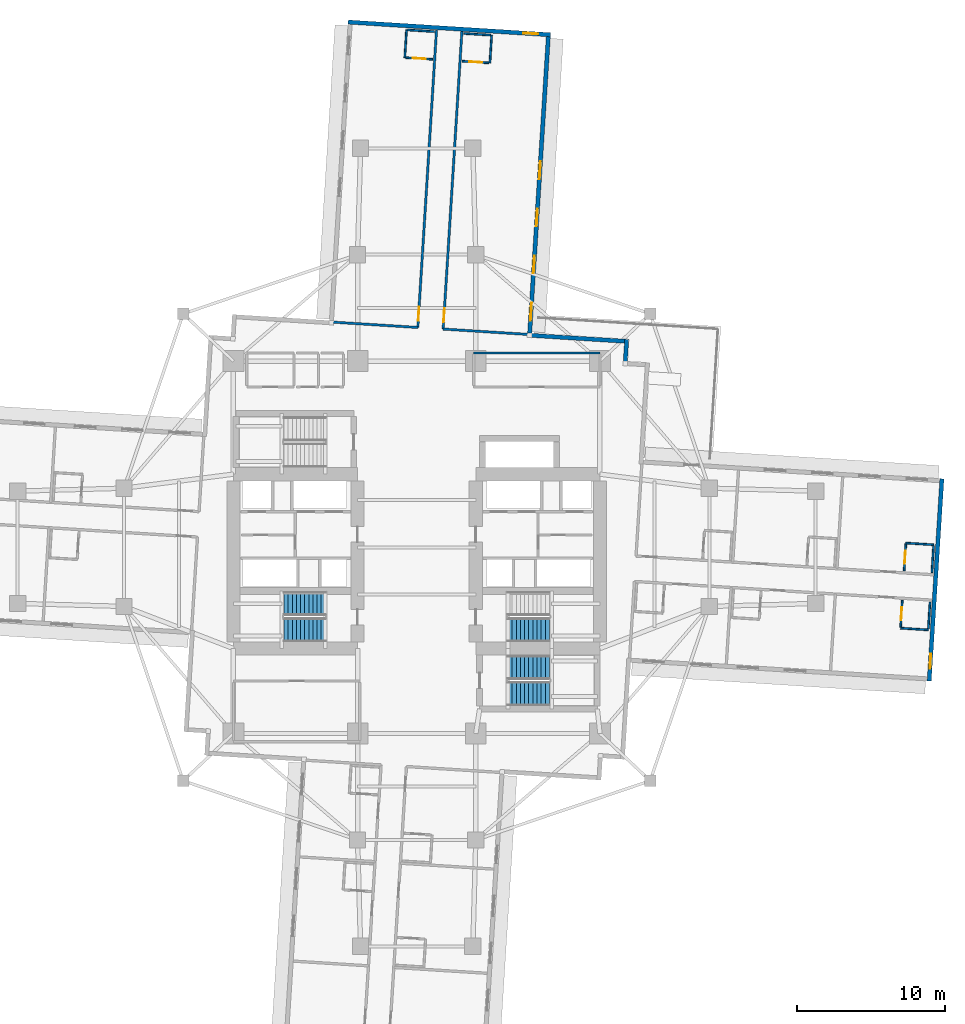
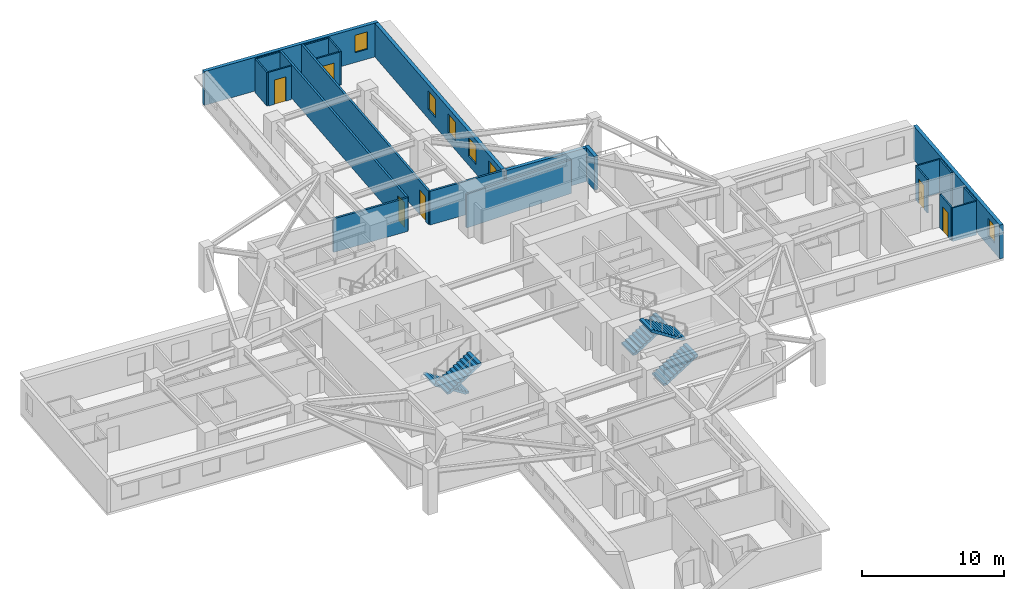
# One storey, part 8 of 14: 22 walls, 6 doors, 6 windows, 5 stair flights, 12 openings, 3 elements without a shape of their own.
"""IFC4 building model written with IfcOpenShell, lengths in metres."""

from ifc_helpers import new_model, si_unit, direction, frame, frame_2d, origin, place, context, subcontext, project, spatial, polyline, rectangle, outline, extrude, material, layer, layer_set, type_object, element, fill, aggregate, save


model = new_model("IFC4")

# Units and contexts
model_context = context("Model", 3, precision=1e-05, world=origin(), true_north=direction((0.0, 1.0)))
body_context = subcontext(model_context, "Body", "Model", "MODEL_VIEW")
ifc_project = project(units=[si_unit("LENGTHUNIT", "METRE"), si_unit("AREAUNIT", "SQUARE_METRE"), si_unit("VOLUMEUNIT", "CUBIC_METRE"), si_unit("PLANEANGLEUNIT", "RADIAN"), si_unit("MASSUNIT", "GRAM", prefix="KILO")], contexts=[model_context])

# Site, building, storey
site_placement = place(None, origin())
site = spatial("IfcSite", under=ifc_project, at=site_placement, CompositionType="ELEMENT")
building_placement = place(site_placement, origin())
building = spatial("IfcBuilding", under=site, at=building_placement, Name="Qingluan Cross Belvedere", CompositionType="ELEMENT")
storey_placement = place(building_placement, frame((0.0, 0.0, 79.5)))
storey = spatial("IfcBuildingStorey", under=building, at=storey_placement, Name="L20", CompositionType="ELEMENT", Elevation=79.5)

# Wall
ifc_material_1 = material(Name="Gypsum plasterboard on steel stud acoustic partition", Category="steel")
ifc_layer_1 = layer(ifc_material_1, 0.159912109375, Name="CorridorPartition_160")
ifc_layer_set_1 = layer_set([ifc_layer_1], Name="Gypsum plasterboard on steel stud acoustic partition")
wall_type_1 = type_object("IfcWallType", Name="CorridorPartition_160", PredefinedType="PARTITIONING", material=ifc_layer_set_1)
wall_1_placement = place(storey_placement, frame((3.85009765625, 13.14990234375, 0.0), z_axis=(0.0, 0.0, 1.0), x_axis=(1.0, 0.0, 0.0)))
element("IfcWall", 1, at=wall_1_placement, inside=storey, type_object=wall_type_1, Name="Partition L20:q_ne:N", PredefinedType="PARTITIONING", context=body_context, shape_type="SweptSolid", body=[
    extrude(rectangle(XDim=8.5498046875, YDim=0.159912109375, at=frame_2d((4.27490234375, 0.0))), origin(), (0.0, 0.0, 1.0), 2.89990234375),
])

# Wall, opening, door
wall_2_placement = place(storey_placement, frame((1.790771484375, 14.7666015625, 0.0), z_axis=(0.0, 0.0, 1.0), x_axis=(0.062795509413, 0.998026414479, 0.0)))
wall_2 = element("IfcWall", 2, at=wall_2_placement, inside=storey, type_object=wall_type_1, Name="Partition L20:N:c0", PredefinedType="PARTITIONING", context=body_context, shape_type="SweptSolid", body=[
    extrude(rectangle(XDim=20.181884765625, YDim=0.159912109375, at=frame_2d((10.0908203125, 0.0))), origin(), (0.0, 0.0, 1.0), 2.89990234375),
])
opening_1_placement = place(wall_2_placement, frame((0.449951171875, 0.0, 0.0)))
opening_1 = element("IfcOpeningElement", 3, at=opening_1_placement, cuts=wall_2, Name="Opening GD-10", PredefinedType="OPENING", context=body_context, shape_type="SweptSolid", body=[
    extrude(rectangle(XDim=0.9599609375, YDim=2.14990234375, at=frame_2d((0.47998046875, 1.074951171875))), frame((0.0, 0.08984375, 0.0), z_axis=(0.0, -1.0, 0.0), x_axis=(1.0, 0.0, 0.0)), (0.0, 0.0, 1.0), 0.179931640625),
])
ifc_material_2 = material(Name="Timber oak fire-rated acoustic guestroom door", Category="wood")
door_type_1 = type_object("IfcDoorType", Name="GuestEntryDoor_FD60", OperationType="NOTDEFINED", PredefinedType="DOOR", material=ifc_material_2)
door_1_placement = place(opening_1_placement, origin())
door_1 = element("IfcDoor", 4, at=door_1_placement, inside=storey, type_object=door_type_1, Name="Guest entry fire door 2011", OperationType="SINGLE_SWING_LEFT", OverallHeight=2.14990234375, OverallWidth=0.9599609375, PredefinedType="DOOR", context=body_context, shape_type="SweptSolid", body=[
    extrude(rectangle(XDim=0.9599609375, YDim=2.14990234375, at=frame_2d((0.47998046875, 1.074951171875))), frame((0.0, 0.02490234375, 0.0), z_axis=(0.0, -1.0, 0.0), x_axis=(1.0, 0.0, 0.0)), (0.0, 0.0, 1.0), 0.050048828125),
])
fill(opening_1, door_1)

# Wall
wall_3_placement = place(storey_placement, frame((1.790771484375, 14.7666015625, 0.0), z_axis=(0.0, 0.0, 1.0), x_axis=(0.998027043948, -0.062785504288, 0.0)))
element("IfcWall", 5, at=wall_3_placement, inside=storey, type_object=wall_type_1, Name="Partition L20:N:s0", PredefinedType="PARTITIONING", context=body_context, shape_type="SweptSolid", body=[
    extrude(rectangle(XDim=5.85986328125, YDim=0.159912109375, at=frame_2d((2.929931640625, 0.0))), origin(), (0.0, 0.0, 1.0), 2.89990234375),
])

# Wall, opening, door
wall_4_placement = place(storey_placement, frame((0.07421875, 14.874755859375, 0.0), z_axis=(0.0, 0.0, 1.0), x_axis=(0.062783460104, 0.998027172545, 0.0)))
wall_4 = element("IfcWall", 6, at=wall_4_placement, inside=storey, type_object=wall_type_1, Name="Partition L20:N:c1", PredefinedType="PARTITIONING", context=body_context, shape_type="SweptSolid", body=[
    extrude(rectangle(XDim=20.181884765625, YDim=0.159912109375, at=frame_2d((10.0908203125, 0.0))), origin(), (0.0, 0.0, 1.0), 2.89990234375),
])
opening_2_placement = place(wall_4_placement, frame((0.449951171875, 0.0, 0.0)))
opening_2 = element("IfcOpeningElement", 7, at=opening_2_placement, cuts=wall_4, Name="Opening GD-10", PredefinedType="OPENING", context=body_context, shape_type="SweptSolid", body=[
    extrude(rectangle(XDim=0.9599609375, YDim=2.14990234375, at=frame_2d((0.47998046875, 1.074951171875))), frame((0.0, 0.08984375, 0.0), z_axis=(0.0, -1.0, 0.0), x_axis=(1.0, 0.0, 0.0)), (0.0, 0.0, 1.0), 0.179931640625),
])
door_2_placement = place(opening_2_placement, origin())
door_2 = element("IfcDoor", 8, at=door_2_placement, inside=storey, type_object=door_type_1, Name="Guest entry fire door 2012", OperationType="SINGLE_SWING_LEFT", OverallHeight=2.14990234375, OverallWidth=0.9599609375, PredefinedType="DOOR", context=body_context, shape_type="SweptSolid", body=[
    extrude(rectangle(XDim=0.9599609375, YDim=2.14990234375, at=frame_2d((0.47998046875, 1.074951171875))), frame((0.0, 0.02490234375, 0.0), z_axis=(0.0, -1.0, 0.0), x_axis=(1.0, 0.0, 0.0)), (0.0, 0.0, 1.0), 0.050048828125),
])
fill(opening_2, door_2)

# Wall
wall_5_placement = place(storey_placement, frame((0.07421875, 14.874755859375, 0.0), z_axis=(0.0, 0.0, 1.0), x_axis=(-0.998027208172, 0.062782893752, 0.0)))
element("IfcWall", 9, at=wall_5_placement, inside=storey, type_object=wall_type_1, Name="Partition L20:N:s1", PredefinedType="PARTITIONING", context=body_context, shape_type="SweptSolid", body=[
    extrude(rectangle(XDim=5.860107421875, YDim=0.159912109375, at=frame_2d((2.93017578125, 0.0))), origin(), (0.0, 0.0, 1.0), 2.89990234375),
])

# Wall, opening, door
ifc_material_3 = material(Name="Moisture-resistant gypsum board lining")
ifc_layer_2 = layer(ifc_material_3, 0.1201171875, Name="EnsuiteWetPartition_120")
ifc_layer_set_2 = layer_set([ifc_layer_2], Name="Moisture-resistant gypsum board lining")
wall_type_2 = type_object("IfcWallType", Name="EnsuiteWetPartition_120", PredefinedType="PARTITIONING", material=ifc_layer_set_2)
wall_6_placement = place(storey_placement, frame((32.985107421875, -1.59423828125, 0.0), z_axis=(0.0, 0.0, 1.0), x_axis=(0.062779145668, 0.998027443946, 0.0)))
wall_6 = element("IfcWall", 10, at=wall_6_placement, inside=storey, type_object=wall_type_2, Name="Partition L20:E:bs0_2", PredefinedType="PARTITIONING", context=body_context, shape_type="SweptSolid", body=[
    extrude(rectangle(XDim=1.820068359375, YDim=0.1201171875, at=frame_2d((0.91015625, 0.0))), origin(), (0.0, 0.0, 1.0), 2.89990234375),
])
opening_3_placement = place(wall_6_placement, frame((0.469970703125, 0.0, 0.0)))
opening_3 = element("IfcOpeningElement", 11, at=opening_3_placement, cuts=wall_6, Name="Opening BD-09", PredefinedType="OPENING", context=body_context, shape_type="SweptSolid", body=[
    extrude(rectangle(XDim=0.8798828125, YDim=2.10009765625, at=frame_2d((0.43994140625, 1.050048828125))), frame((0.0, 0.070068359375, 0.0), z_axis=(0.0, -1.0, 0.0), x_axis=(1.0, 0.0, 0.0)), (0.0, 0.0, 1.0), 0.14013671875),
])
ifc_material_4 = material(Name="Moisture-sealed timber en-suite door", Category="wood")
door_type_2 = type_object("IfcDoorType", Name="BathroomDoor_880", OperationType="NOTDEFINED", PredefinedType="DOOR", material=ifc_material_4)
door_3_placement = place(opening_3_placement, origin())
door_3 = element("IfcDoor", 12, at=door_3_placement, inside=storey, type_object=door_type_2, Name="Bathroom door 2003", OperationType="SINGLE_SWING_RIGHT", OverallHeight=2.10009765625, OverallWidth=0.8798828125, PredefinedType="DOOR", context=body_context, shape_type="SweptSolid", body=[
    extrude(rectangle(XDim=0.8798828125, YDim=2.10009765625, at=frame_2d((0.43994140625, 1.050048828125))), frame((0.0, 0.02490234375, 0.0), z_axis=(0.0, -1.0, 0.0), x_axis=(1.0, 0.0, 0.0)), (0.0, 0.0, 1.0), 0.050048828125),
])
fill(opening_3, door_3)

# Walls
wall_7_placement = place(storey_placement, frame((34.861328125, -1.71240234375, 0.0), z_axis=(0.0, 0.0, 1.0), x_axis=(0.062779145668, 0.998027443946, 0.0)))
element("IfcWall", 13, at=wall_7_placement, inside=storey, type_object=wall_type_2, Name="Partition L20:E:bw0_2", PredefinedType="PARTITIONING", context=body_context, shape_type="SweptSolid", body=[
    extrude(rectangle(XDim=1.820068359375, YDim=0.1201171875, at=frame_2d((0.91015625, 0.0))), origin(), (0.0, 0.0, 1.0), 2.89990234375),
])
wall_8_placement = place(storey_placement, frame((33.103271484375, 0.287109375, 0.0), z_axis=(0.0, 0.0, 1.0), x_axis=(0.998022650819, -0.062855297722, 0.0)))
element("IfcWall", 14, at=wall_8_placement, inside=storey, type_object=wall_type_2, Name="Partition L20:E:bn0_2", PredefinedType="PARTITIONING", context=body_context, shape_type="SweptSolid", body=[
    extrude(rectangle(XDim=1.8798828125, YDim=0.1201171875, at=frame_2d((0.93994140625, 0.0))), origin(), (0.0, 0.0, 1.0), 2.89990234375),
])

# Wall, opening, door
wall_9_placement = place(storey_placement, frame((32.7451171875, -5.40673828125, 0.0), z_axis=(0.0, 0.0, 1.0), x_axis=(0.062779145668, 0.998027443946, 0.0)))
wall_9 = element("IfcWall", 15, at=wall_9_placement, inside=storey, type_object=wall_type_2, Name="Partition L20:E:bs1_2", PredefinedType="PARTITIONING", context=body_context, shape_type="SweptSolid", body=[
    extrude(rectangle(XDim=1.820068359375, YDim=0.1201171875, at=frame_2d((0.91015625, 0.0))), origin(), (0.0, 0.0, 1.0), 2.89990234375),
])
opening_4_placement = place(wall_9_placement, frame((0.469970703125, 0.0, 0.0)))
opening_4 = element("IfcOpeningElement", 16, at=opening_4_placement, cuts=wall_9, Name="Opening BD-09", PredefinedType="OPENING", context=body_context, shape_type="SweptSolid", body=[
    extrude(rectangle(XDim=0.8798828125, YDim=2.10009765625, at=frame_2d((0.43994140625, 1.050048828125))), frame((0.0, 0.070068359375, 0.0), z_axis=(0.0, -1.0, 0.0), x_axis=(1.0, 0.0, 0.0)), (0.0, 0.0, 1.0), 0.14013671875),
])
door_4_placement = place(opening_4_placement, origin())
door_4 = element("IfcDoor", 17, at=door_4_placement, inside=storey, type_object=door_type_2, Name="Bathroom door 2006", OperationType="SINGLE_SWING_RIGHT", OverallHeight=2.10009765625, OverallWidth=0.8798828125, PredefinedType="DOOR", context=body_context, shape_type="SweptSolid", body=[
    extrude(rectangle(XDim=0.8798828125, YDim=2.10009765625, at=frame_2d((0.43994140625, 1.050048828125))), frame((0.0, 0.02490234375, 0.0), z_axis=(0.0, -1.0, 0.0), x_axis=(1.0, 0.0, 0.0)), (0.0, 0.0, 1.0), 0.050048828125),
])
fill(opening_4, door_4)

# Walls
wall_10_placement = place(storey_placement, frame((34.621337890625, -5.52490234375, 0.0), z_axis=(0.0, 0.0, 1.0), x_axis=(0.062779145668, 0.998027443946, 0.0)))
element("IfcWall", 18, at=wall_10_placement, inside=storey, type_object=wall_type_2, Name="Partition L20:E:bw1_2", PredefinedType="PARTITIONING", context=body_context, shape_type="SweptSolid", body=[
    extrude(rectangle(XDim=1.820068359375, YDim=0.1201171875, at=frame_2d((0.91015625, 0.0))), origin(), (0.0, 0.0, 1.0), 2.89990234375),
])
wall_11_placement = place(storey_placement, frame((32.740966796875, -5.4716796875, 0.0), z_axis=(0.0, 0.0, 1.0), x_axis=(0.998030789148, -0.062725942896, 0.0)))
element("IfcWall", 19, at=wall_11_placement, inside=storey, type_object=wall_type_2, Name="Partition L20:E:bc1_2", PredefinedType="PARTITIONING", context=body_context, shape_type="SweptSolid", body=[
    extrude(rectangle(XDim=1.8798828125, YDim=0.1201171875, at=frame_2d((0.93994140625, 0.0))), origin(), (0.0, 0.0, 1.0), 2.89990234375),
])

# Wall, opening, door
wall_12_placement = place(storey_placement, frame((3.0712890625, 32.89208984375, 0.0), z_axis=(0.0, 0.0, 1.0), x_axis=(0.998027443946, -0.062779145668, 0.0)))
wall_12 = element("IfcWall", 20, at=wall_12_placement, inside=storey, type_object=wall_type_2, Name="Partition L20:N:bs0_0", PredefinedType="PARTITIONING", context=body_context, shape_type="SweptSolid", body=[
    extrude(rectangle(XDim=1.820068359375, YDim=0.1201171875, at=frame_2d((0.91015625, 0.0))), origin(), (0.0, 0.0, 1.0), 2.89990234375),
])
opening_5_placement = place(wall_12_placement, frame((0.469970703125, 0.0, 0.0)))
opening_5 = element("IfcOpeningElement", 21, at=opening_5_placement, cuts=wall_12, Name="Opening BD-09", PredefinedType="OPENING", context=body_context, shape_type="SweptSolid", body=[
    extrude(rectangle(XDim=0.8798828125, YDim=2.10009765625, at=frame_2d((0.43994140625, 1.050048828125))), frame((0.0, 0.070068359375, 0.0), z_axis=(0.0, -1.0, 0.0), x_axis=(1.0, 0.0, 0.0)), (0.0, 0.0, 1.0), 0.14013671875),
])
door_5_placement = place(opening_5_placement, origin())
door_5 = element("IfcDoor", 22, at=door_5_placement, inside=storey, type_object=door_type_2, Name="Bathroom door 2011", OperationType="SINGLE_SWING_RIGHT", OverallHeight=2.10009765625, OverallWidth=0.8798828125, PredefinedType="DOOR", context=body_context, shape_type="SweptSolid", body=[
    extrude(rectangle(XDim=0.8798828125, YDim=2.10009765625, at=frame_2d((0.43994140625, 1.050048828125))), frame((0.0, 0.02490234375, 0.0), z_axis=(0.0, -1.0, 0.0), x_axis=(1.0, 0.0, 0.0)), (0.0, 0.0, 1.0), 0.050048828125),
])
fill(opening_5, door_5)

# Walls
wall_13_placement = place(storey_placement, frame((3.189453125, 34.768310546875, 0.0), z_axis=(0.0, 0.0, 1.0), x_axis=(0.998027443946, -0.062779145668, 0.0)))
element("IfcWall", 23, at=wall_13_placement, inside=storey, type_object=wall_type_2, Name="Partition L20:N:bw0_0", PredefinedType="PARTITIONING", context=body_context, shape_type="SweptSolid", body=[
    extrude(rectangle(XDim=1.820068359375, YDim=0.1201171875, at=frame_2d((0.91015625, 0.0))), origin(), (0.0, 0.0, 1.0), 2.89990234375),
])
wall_14_placement = place(storey_placement, frame((4.95263671875, 32.773681640625, 0.0), z_axis=(0.0, 0.0, 1.0), x_axis=(0.062855297722, 0.998022650819, 0.0)))
element("IfcWall", 24, at=wall_14_placement, inside=storey, type_object=wall_type_2, Name="Partition L20:N:bn0_0", PredefinedType="PARTITIONING", context=body_context, shape_type="SweptSolid", body=[
    extrude(rectangle(XDim=1.8798828125, YDim=0.1201171875, at=frame_2d((0.93994140625, 0.0))), origin(), (0.0, 0.0, 1.0), 2.89990234375),
])

# Wall, opening, door
wall_15_placement = place(storey_placement, frame((-0.7412109375, 33.1318359375, 0.0), z_axis=(0.0, 0.0, 1.0), x_axis=(0.998027443946, -0.062779145668, 0.0)))
wall_15 = element("IfcWall", 25, at=wall_15_placement, inside=storey, type_object=wall_type_2, Name="Partition L20:N:bs1_0", PredefinedType="PARTITIONING", context=body_context, shape_type="SweptSolid", body=[
    extrude(rectangle(XDim=1.820068359375, YDim=0.1201171875, at=frame_2d((0.91015625, 0.0))), origin(), (0.0, 0.0, 1.0), 2.89990234375),
])
opening_6_placement = place(wall_15_placement, frame((0.469970703125, 0.0, 0.0)))
opening_6 = element("IfcOpeningElement", 26, at=opening_6_placement, cuts=wall_15, Name="Opening BD-09", PredefinedType="OPENING", context=body_context, shape_type="SweptSolid", body=[
    extrude(rectangle(XDim=0.8798828125, YDim=2.10009765625, at=frame_2d((0.43994140625, 1.050048828125))), frame((0.0, 0.070068359375, 0.0), z_axis=(0.0, -1.0, 0.0), x_axis=(1.0, 0.0, 0.0)), (0.0, 0.0, 1.0), 0.14013671875),
])
door_6_placement = place(opening_6_placement, origin())
door_6 = element("IfcDoor", 27, at=door_6_placement, inside=storey, type_object=door_type_2, Name="Bathroom door 2012", OperationType="SINGLE_SWING_RIGHT", OverallHeight=2.10009765625, OverallWidth=0.8798828125, PredefinedType="DOOR", context=body_context, shape_type="SweptSolid", body=[
    extrude(rectangle(XDim=0.8798828125, YDim=2.10009765625, at=frame_2d((0.43994140625, 1.050048828125))), frame((0.0, 0.02490234375, 0.0), z_axis=(0.0, -1.0, 0.0), x_axis=(1.0, 0.0, 0.0)), (0.0, 0.0, 1.0), 0.050048828125),
])
fill(opening_6, door_6)

# Walls
wall_16_placement = place(storey_placement, frame((-0.623046875, 35.00830078125, 0.0), z_axis=(0.0, 0.0, 1.0), x_axis=(0.998019030272, -0.062912758763, 0.0)))
element("IfcWall", 28, at=wall_16_placement, inside=storey, type_object=wall_type_2, Name="Partition L20:N:bw1_0", PredefinedType="PARTITIONING", context=body_context, shape_type="SweptSolid", body=[
    extrude(rectangle(XDim=1.820068359375, YDim=0.1201171875, at=frame_2d((0.91015625, 0.0))), origin(), (0.0, 0.0, 1.0), 2.89990234375),
])
wall_17_placement = place(storey_placement, frame((-0.805908203125, 33.135986328125, 0.0), z_axis=(0.0, 0.0, 1.0), x_axis=(0.062725942896, 0.998030789148, 0.0)))
element("IfcWall", 29, at=wall_17_placement, inside=storey, type_object=wall_type_2, Name="Partition L20:N:bc1_0", PredefinedType="PARTITIONING", context=body_context, shape_type="SweptSolid", body=[
    extrude(rectangle(XDim=1.8798828125, YDim=0.1201171875, at=frame_2d((0.93994140625, 0.0))), origin(), (0.0, 0.0, 1.0), 2.89990234375),
])

# Wall, opening, window
ifc_material_5 = material(Name="Precast concrete C45", Category="concrete")
ifc_layer_3 = layer(ifc_material_5, 0.280029296875, Name="PrecastFacadeWall_280")
ifc_layer_set_3 = layer_set([ifc_layer_3], Name="Precast concrete C45")
wall_type_3 = type_object("IfcWallType", Name="PrecastFacadeWall_280", PredefinedType="STANDARD", material=ifc_layer_set_3)
wall_18_placement = place(storey_placement, frame((34.6796875, -9.055419921875, 0.0), z_axis=(0.0, 0.0, 1.0), x_axis=(0.062797041623, 0.998026318072, 0.0)))
wall_18 = element("IfcWall", 30, at=wall_18_placement, inside=storey, type_object=wall_type_3, Name="Arm tip precast facade wall L20-E", PredefinedType="STANDARD", context=body_context, shape_type="SweptSolid", body=[
    extrude(rectangle(XDim=13.719970703125, YDim=0.280029296875, at=frame_2d((6.85986328125, 0.0))), origin(), (0.0, 0.0, 1.0), 2.909912109375),
])
opening_7_placement = place(wall_18_placement, frame((0.85009765625, 0.0, 0.85009765625)))
opening_7 = element("IfcOpeningElement", 31, at=opening_7_placement, cuts=wall_18, Name="Opening W-03", PredefinedType="OPENING", context=body_context, shape_type="SweptSolid", body=[
    extrude(rectangle(XDim=1.0, YDim=1.5, at=frame_2d((0.5, 0.75))), frame((0.0, 0.14990234375, 0.0), z_axis=(0.0, -1.0, 0.0), x_axis=(1.0, 0.0, 0.0)), (0.0, 0.0, 1.0), 0.300048828125),
])
ifc_material_6 = material(Name="Thermally broken triple Low-E glass in aluminium frame", Category="aluminium")
window_type_1 = type_object("IfcWindowType", Name="TriApexWin_1000x1500", PartitioningType="SINGLE_PANEL", PredefinedType="WINDOW", material=ifc_material_6)
window_1_placement = place(opening_7_placement, origin())
window_1 = element("IfcWindow", 32, at=window_1_placement, inside=storey, type_object=window_type_1, Name="Arm tip triangular window L20-E", OverallHeight=1.5, OverallWidth=1.0, PartitioningType="SINGLE_PANEL", PredefinedType="WINDOW", context=body_context, shape_type="SweptSolid", body=[
    extrude(rectangle(XDim=1.0, YDim=1.5, at=frame_2d((0.5, 0.75))), frame((0.0, 0.030029296875, 0.0), z_axis=(0.0, -1.0, 0.0), x_axis=(1.0, 0.0, 0.0)), (0.0, 0.0, 1.0), 0.06005859375),
])
fill(opening_7, window_1)

# Wall, openings, windows
wall_19_placement = place(storey_placement, frame((7.644775390625, 14.488525390625, 0.0), z_axis=(0.0, 0.0, 1.0), x_axis=(0.06279645424, 0.99802635503, 0.0)))
wall_19 = element("IfcWall", 33, at=wall_19_placement, inside=storey, type_object=wall_type_3, Name="Facade wall L20-NA", PredefinedType="STANDARD", context=body_context, shape_type="SweptSolid", body=[
    extrude(rectangle(XDim=20.099853515625, YDim=0.280029296875, at=frame_2d((10.0498046875, 0.0))), origin(), (0.0, 0.0, 1.0), 2.909912109375),
])
opening_8_placement = place(wall_19_placement, frame((0.85009765625, 0.0, 0.800048828125)))
opening_8 = element("IfcOpeningElement", 34, at=opening_8_placement, cuts=wall_19, Name="Opening W-02", PredefinedType="OPENING", context=body_context, shape_type="SweptSolid", body=[
    extrude(rectangle(XDim=1.199951171875, YDim=1.60009765625, at=frame_2d((0.60009765625, 0.800048828125))), frame((0.0, 0.14990234375, 0.0), z_axis=(0.0, -1.0, 0.0), x_axis=(1.0, 0.0, 0.0)), (0.0, 0.0, 1.0), 0.300048828125),
])
opening_9_placement = place(wall_19_placement, frame((4.050048828125, 0.0, 0.800048828125)))
opening_9 = element("IfcOpeningElement", 35, at=opening_9_placement, cuts=wall_19, Name="Opening W-02", PredefinedType="OPENING", context=body_context, shape_type="SweptSolid", body=[
    extrude(rectangle(XDim=1.199951171875, YDim=1.60009765625, at=frame_2d((0.60009765625, 0.800048828125))), frame((0.0, 0.14990234375, 0.0), z_axis=(0.0, -1.0, 0.0), x_axis=(1.0, 0.0, 0.0)), (0.0, 0.0, 1.0), 0.300048828125),
])
opening_10_placement = place(wall_19_placement, frame((7.25, 0.0, 0.800048828125)))
opening_10 = element("IfcOpeningElement", 36, at=opening_10_placement, cuts=wall_19, Name="Opening W-02", PredefinedType="OPENING", context=body_context, shape_type="SweptSolid", body=[
    extrude(rectangle(XDim=1.199951171875, YDim=1.60009765625, at=frame_2d((0.60009765625, 0.800048828125))), frame((0.0, 0.14990234375, 0.0), z_axis=(0.0, -1.0, 0.0), x_axis=(1.0, 0.0, 0.0)), (0.0, 0.0, 1.0), 0.300048828125),
])
opening_11_placement = place(wall_19_placement, frame((10.449951171875, 0.0, 0.800048828125)))
opening_11 = element("IfcOpeningElement", 37, at=opening_11_placement, cuts=wall_19, Name="Opening W-02", PredefinedType="OPENING", context=body_context, shape_type="SweptSolid", body=[
    extrude(rectangle(XDim=1.199951171875, YDim=1.60009765625, at=frame_2d((0.60009765625, 0.800048828125))), frame((0.0, 0.14990234375, 0.0), z_axis=(0.0, -1.0, 0.0), x_axis=(1.0, 0.0, 0.0)), (0.0, 0.0, 1.0), 0.300048828125),
])
ifc_material_7 = material(Name="Thermally broken triple Low-E glass in aluminium frame", Category="aluminium")
window_type_2 = type_object("IfcWindowType", Name="TriRibbonWin_1200x1600", PartitioningType="SINGLE_PANEL", PredefinedType="WINDOW", material=ifc_material_7)
window_2_placement = place(opening_8_placement, origin())
window_2 = element("IfcWindow", 38, at=window_2_placement, inside=storey, type_object=window_type_2, Name="Ribbon window L20-NA-1", OverallHeight=1.60009765625, OverallWidth=1.199951171875, PartitioningType="SINGLE_PANEL", PredefinedType="WINDOW", context=body_context, shape_type="SweptSolid", body=[
    extrude(rectangle(XDim=1.199951171875, YDim=1.60009765625, at=frame_2d((0.60009765625, 0.800048828125))), frame((0.0, 0.030029296875, 0.0), z_axis=(0.0, -1.0, 0.0), x_axis=(1.0, 0.0, 0.0)), (0.0, 0.0, 1.0), 0.06005859375),
])
fill(opening_8, window_2)
window_3_placement = place(opening_9_placement, origin())
window_3 = element("IfcWindow", 39, at=window_3_placement, inside=storey, type_object=window_type_2, Name="Ribbon window L20-NA-2", OverallHeight=1.60009765625, OverallWidth=1.199951171875, PartitioningType="SINGLE_PANEL", PredefinedType="WINDOW", context=body_context, shape_type="SweptSolid", body=[
    extrude(rectangle(XDim=1.199951171875, YDim=1.60009765625, at=frame_2d((0.60009765625, 0.800048828125))), frame((0.0, 0.030029296875, 0.0), z_axis=(0.0, -1.0, 0.0), x_axis=(1.0, 0.0, 0.0)), (0.0, 0.0, 1.0), 0.06005859375),
])
fill(opening_9, window_3)
window_4_placement = place(opening_10_placement, origin())
window_4 = element("IfcWindow", 40, at=window_4_placement, inside=storey, type_object=window_type_2, Name="Ribbon window L20-NA-3", OverallHeight=1.60009765625, OverallWidth=1.199951171875, PartitioningType="SINGLE_PANEL", PredefinedType="WINDOW", context=body_context, shape_type="SweptSolid", body=[
    extrude(rectangle(XDim=1.199951171875, YDim=1.60009765625, at=frame_2d((0.60009765625, 0.800048828125))), frame((0.0, 0.030029296875, 0.0), z_axis=(0.0, -1.0, 0.0), x_axis=(1.0, 0.0, 0.0)), (0.0, 0.0, 1.0), 0.06005859375),
])
fill(opening_10, window_4)
window_5_placement = place(opening_11_placement, origin())
window_5 = element("IfcWindow", 41, at=window_5_placement, inside=storey, type_object=window_type_2, Name="Ribbon window L20-NA-4", OverallHeight=1.60009765625, OverallWidth=1.199951171875, PartitioningType="SINGLE_PANEL", PredefinedType="WINDOW", context=body_context, shape_type="SweptSolid", body=[
    extrude(rectangle(XDim=1.199951171875, YDim=1.60009765625, at=frame_2d((0.60009765625, 0.800048828125))), frame((0.0, 0.030029296875, 0.0), z_axis=(0.0, -1.0, 0.0), x_axis=(1.0, 0.0, 0.0)), (0.0, 0.0, 1.0), 0.06005859375),
])
fill(opening_11, window_5)

# Wall, opening, window
wall_20_placement = place(storey_placement, frame((9.055419921875, 34.6796875, 0.0), z_axis=(0.0, 0.0, 1.0), x_axis=(-0.998026318072, 0.062797041623, 0.0)))
wall_20 = element("IfcWall", 42, at=wall_20_placement, inside=storey, type_object=wall_type_3, Name="Arm tip precast facade wall L20-N", PredefinedType="STANDARD", context=body_context, shape_type="SweptSolid", body=[
    extrude(rectangle(XDim=13.719970703125, YDim=0.280029296875, at=frame_2d((6.85986328125, 0.0))), origin(), (0.0, 0.0, 1.0), 2.909912109375),
])
opening_12_placement = place(wall_20_placement, frame((0.85009765625, 0.0, 0.85009765625)))
opening_12 = element("IfcOpeningElement", 43, at=opening_12_placement, cuts=wall_20, Name="Opening W-03", PredefinedType="OPENING", context=body_context, shape_type="SweptSolid", body=[
    extrude(rectangle(XDim=1.0, YDim=1.5, at=frame_2d((0.5, 0.75))), frame((0.0, 0.14990234375, 0.0), z_axis=(0.0, -1.0, 0.0), x_axis=(1.0, 0.0, 0.0)), (0.0, 0.0, 1.0), 0.300048828125),
])
window_6_placement = place(opening_12_placement, origin())
window_6 = element("IfcWindow", 44, at=window_6_placement, inside=storey, type_object=window_type_1, Name="Arm tip triangular window L20-N", OverallHeight=1.5, OverallWidth=1.0, PartitioningType="SINGLE_PANEL", PredefinedType="WINDOW", context=body_context, shape_type="SweptSolid", body=[
    extrude(rectangle(XDim=1.0, YDim=1.5, at=frame_2d((0.5, 0.75))), frame((0.0, 0.030029296875, 0.0), z_axis=(0.0, -1.0, 0.0), x_axis=(1.0, 0.0, 0.0)), (0.0, 0.0, 1.0), 0.06005859375),
])
fill(opening_12, window_6)

# Walls
wall_21_placement = place(storey_placement, frame((14.11767578125, 12.578369140625, 0.0), z_axis=(0.0, 0.0, 1.0), x_axis=(0.062824119533, 0.998024613927, 0.0)))
element("IfcWall", 45, at=wall_21_placement, inside=storey, type_object=wall_type_3, Name="Corner wall L20-NE3", PredefinedType="STANDARD", context=body_context, shape_type="SweptSolid", body=[
    extrude(rectangle(XDim=1.5, YDim=0.280029296875, at=frame_2d((0.75, 0.0))), origin(), (0.0, 0.0, 1.0), 2.909912109375),
])
wall_22_placement = place(storey_placement, frame((14.063232421875, 13.944580078125, 0.0), z_axis=(0.0, 0.0, 1.0), x_axis=(-0.998027314704, 0.062781200242, 0.0)))
element("IfcWall", 46, at=wall_22_placement, inside=storey, type_object=wall_type_3, Name="Corner wall L20-NE4", PredefinedType="STANDARD", context=body_context, shape_type="SweptSolid", body=[
    extrude(rectangle(XDim=6.2998046875, YDim=0.280029296875, at=frame_2d((3.14990234375, 0.0))), origin(), (0.0, 0.0, 1.0), 2.909912109375),
])

# Stair, stair flights
ifc_material_8 = material(Name="Concrete C40", Category="concrete")
stair_type = type_object("IfcStairType", Name="CoreDoglegStair_1620", PredefinedType="HALF_TURN_STAIR", material=ifc_material_8)
stair_1_placement = place(storey_placement, origin())
stair_1 = element("IfcStair", 47, at=stair_1_placement, inside=storey, type_object=stair_type, Name="L20 ST1", PredefinedType="HALF_TURN_STAIR")
ifc_material_9 = material(Name="Concrete C40", Category="concrete")
ifc_layer_4 = layer(ifc_material_9, 0.179931640625, Name="StairFlight_RC180")
ifc_layer_set_4 = layer_set([ifc_layer_4], Name="Concrete C40")
stair_flight_type = type_object("IfcStairFlightType", Name="StairFlight_RC180", PredefinedType="STRAIGHT", material=ifc_layer_set_4)
stair_flight_1_placement = place(storey_placement, frame((-6.179931640625, -3.81005859375, 0.0), z_axis=(0.0, 0.0, 1.0), x_axis=(-1.0, 0.0, 0.0)))
stair_flight_1 = element("IfcStairFlight", 48, at=stair_flight_1_placement, type_object=stair_flight_type, Name="ST1 flight 1", NumberOfRisers=11, NumberOfTreads=10, PredefinedType="STRAIGHT", RiserHeight=0.177272727, TreadLength=0.28, context=body_context, shape_type="SweptSolid", body=[
    extrude(outline(polyline([(0.0, 0.0), (0.0, 0.17724609375), (0.280029296875, 0.17724609375), (0.280029296875, 0.3544921875), (0.56005859375, 0.3544921875), (0.56005859375, 0.53173828125), (0.840087890625, 0.53173828125), (0.840087890625, 0.708984375), (1.1201171875, 0.708984375), (1.1201171875, 0.886474609375), (1.39990234375, 0.886474609375), (1.39990234375, 1.063720703125), (1.679931640625, 1.063720703125), (1.679931640625, 1.240966796875), (1.9599609375, 1.240966796875), (1.9599609375, 1.418212890625), (2.239990234375, 1.418212890625), (2.239990234375, 1.595458984375), (2.52001953125, 1.595458984375), (2.52001953125, 1.772705078125), (2.800048828125, 1.772705078125), (2.800048828125, 1.949951171875), (2.800048828125, 1.59521484375), (0.2802734375, 0.0), (0.0, 0.0)])), frame((0.0, 0.81005859375, 0.0), z_axis=(0.0, -1.0, 0.0), x_axis=(1.0, 0.0, 0.0)), (0.0, 0.0, 1.0), 1.6201171875),
])
stair_flight_2_placement = place(storey_placement, frame((-8.97998046875, -5.590087890625, 1.949951171875), z_axis=(0.0, 0.0, 1.0), x_axis=(1.0, 0.0, 0.0)))
stair_flight_2 = element("IfcStairFlight", 49, at=stair_flight_2_placement, type_object=stair_flight_type, Name="ST1 flight 2", NumberOfRisers=11, NumberOfTreads=10, PredefinedType="STRAIGHT", RiserHeight=0.177272727, TreadLength=0.28, context=body_context, shape_type="SweptSolid", body=[
    extrude(outline(polyline([(0.0, 0.0), (0.0, 0.17724609375), (0.280029296875, 0.17724609375), (0.280029296875, 0.3544921875), (0.56005859375, 0.3544921875), (0.56005859375, 0.53173828125), (0.840087890625, 0.53173828125), (0.840087890625, 0.708984375), (1.1201171875, 0.708984375), (1.1201171875, 0.886474609375), (1.39990234375, 0.886474609375), (1.39990234375, 1.063720703125), (1.679931640625, 1.063720703125), (1.679931640625, 1.240966796875), (1.9599609375, 1.240966796875), (1.9599609375, 1.418212890625), (2.239990234375, 1.418212890625), (2.239990234375, 1.595458984375), (2.52001953125, 1.595458984375), (2.52001953125, 1.772705078125), (2.800048828125, 1.772705078125), (2.800048828125, 1.949951171875), (2.800048828125, 1.59521484375), (0.2802734375, 0.0), (0.0, 0.0)])), frame((0.0, 0.81005859375, 0.0), z_axis=(0.0, -1.0, 0.0), x_axis=(1.0, 0.0, 0.0)), (0.0, 0.0, 1.0), 1.6201171875),
])
aggregate(stair_1, [stair_flight_1, stair_flight_2])

# Stair, stair flight
stair_2_placement = place(storey_placement, origin())
stair_2 = element("IfcStair", 50, at=stair_2_placement, inside=storey, type_object=stair_type, Name="L20 ST2", PredefinedType="HALF_TURN_STAIR")
stair_flight_3_placement = place(storey_placement, frame((6.179931640625, -5.590087890625, 0.0), z_axis=(0.0, 0.0, 1.0), x_axis=(1.0, 0.0, 0.0)))
stair_flight_3 = element("IfcStairFlight", 51, at=stair_flight_3_placement, type_object=stair_flight_type, Name="ST2 flight 1", NumberOfRisers=11, NumberOfTreads=10, PredefinedType="STRAIGHT", RiserHeight=0.177272727, TreadLength=0.28, context=body_context, shape_type="SweptSolid", body=[
    extrude(outline(polyline([(0.0, 0.0), (0.0, 0.17724609375), (0.280029296875, 0.17724609375), (0.280029296875, 0.3544921875), (0.56005859375, 0.3544921875), (0.56005859375, 0.53173828125), (0.840087890625, 0.53173828125), (0.840087890625, 0.708984375), (1.1201171875, 0.708984375), (1.1201171875, 0.886474609375), (1.39990234375, 0.886474609375), (1.39990234375, 1.063720703125), (1.679931640625, 1.063720703125), (1.679931640625, 1.240966796875), (1.9599609375, 1.240966796875), (1.9599609375, 1.418212890625), (2.239990234375, 1.418212890625), (2.239990234375, 1.595458984375), (2.52001953125, 1.595458984375), (2.52001953125, 1.772705078125), (2.800048828125, 1.772705078125), (2.800048828125, 1.949951171875), (2.800048828125, 1.59521484375), (0.2802734375, 0.0), (0.0, 0.0)])), frame((0.0, 0.81005859375, 0.0), z_axis=(0.0, -1.0, 0.0), x_axis=(1.0, 0.0, 0.0)), (0.0, 0.0, 1.0), 1.6201171875),
])
aggregate(stair_2, [stair_flight_3])

# Stair, stair flights
stair_3_placement = place(storey_placement, origin())
stair_3 = element("IfcStair", 52, at=stair_3_placement, inside=storey, type_object=stair_type, Name="L20 ST4", PredefinedType="HALF_TURN_STAIR")
stair_flight_4_placement = place(storey_placement, frame((6.179931640625, -9.909912109375, 0.0), z_axis=(0.0, 0.0, 1.0), x_axis=(1.0, 0.0, 0.0)))
stair_flight_4 = element("IfcStairFlight", 53, at=stair_flight_4_placement, type_object=stair_flight_type, Name="ST4 flight 1", NumberOfRisers=11, NumberOfTreads=10, PredefinedType="STRAIGHT", RiserHeight=0.177272727, TreadLength=0.28, context=body_context, shape_type="SweptSolid", body=[
    extrude(outline(polyline([(0.0, 0.0), (0.0, 0.17724609375), (0.280029296875, 0.17724609375), (0.280029296875, 0.3544921875), (0.56005859375, 0.3544921875), (0.56005859375, 0.53173828125), (0.840087890625, 0.53173828125), (0.840087890625, 0.708984375), (1.1201171875, 0.708984375), (1.1201171875, 0.886474609375), (1.39990234375, 0.886474609375), (1.39990234375, 1.063720703125), (1.679931640625, 1.063720703125), (1.679931640625, 1.240966796875), (1.9599609375, 1.240966796875), (1.9599609375, 1.418212890625), (2.239990234375, 1.418212890625), (2.239990234375, 1.595458984375), (2.52001953125, 1.595458984375), (2.52001953125, 1.772705078125), (2.800048828125, 1.772705078125), (2.800048828125, 1.949951171875), (2.800048828125, 1.59521484375), (0.2802734375, 0.0), (0.0, 0.0)])), frame((0.0, 0.81005859375, 0.0), z_axis=(0.0, -1.0, 0.0), x_axis=(1.0, 0.0, 0.0)), (0.0, 0.0, 1.0), 1.6201171875),
])
stair_flight_5_placement = place(storey_placement, frame((8.97998046875, -8.1298828125, 1.949951171875), z_axis=(0.0, 0.0, 1.0), x_axis=(-1.0, 0.0, 0.0)))
stair_flight_5 = element("IfcStairFlight", 54, at=stair_flight_5_placement, type_object=stair_flight_type, Name="ST4 flight 2", NumberOfRisers=11, NumberOfTreads=10, PredefinedType="STRAIGHT", RiserHeight=0.177272727, TreadLength=0.28, context=body_context, shape_type="SweptSolid", body=[
    extrude(outline(polyline([(0.0, 0.0), (0.0, 0.17724609375), (0.280029296875, 0.17724609375), (0.280029296875, 0.3544921875), (0.56005859375, 0.3544921875), (0.56005859375, 0.53173828125), (0.840087890625, 0.53173828125), (0.840087890625, 0.708984375), (1.1201171875, 0.708984375), (1.1201171875, 0.886474609375), (1.39990234375, 0.886474609375), (1.39990234375, 1.063720703125), (1.679931640625, 1.063720703125), (1.679931640625, 1.240966796875), (1.9599609375, 1.240966796875), (1.9599609375, 1.418212890625), (2.239990234375, 1.418212890625), (2.239990234375, 1.595458984375), (2.52001953125, 1.595458984375), (2.52001953125, 1.772705078125), (2.800048828125, 1.772705078125), (2.800048828125, 1.949951171875), (2.800048828125, 1.59521484375), (0.2802734375, 0.0), (0.0, 0.0)])), frame((0.0, 0.81005859375, 0.0), z_axis=(0.0, -1.0, 0.0), x_axis=(1.0, 0.0, 0.0)), (0.0, 0.0, 1.0), 1.6201171875),
])
aggregate(stair_3, [stair_flight_4, stair_flight_5])

save(model, "model.ifc")
